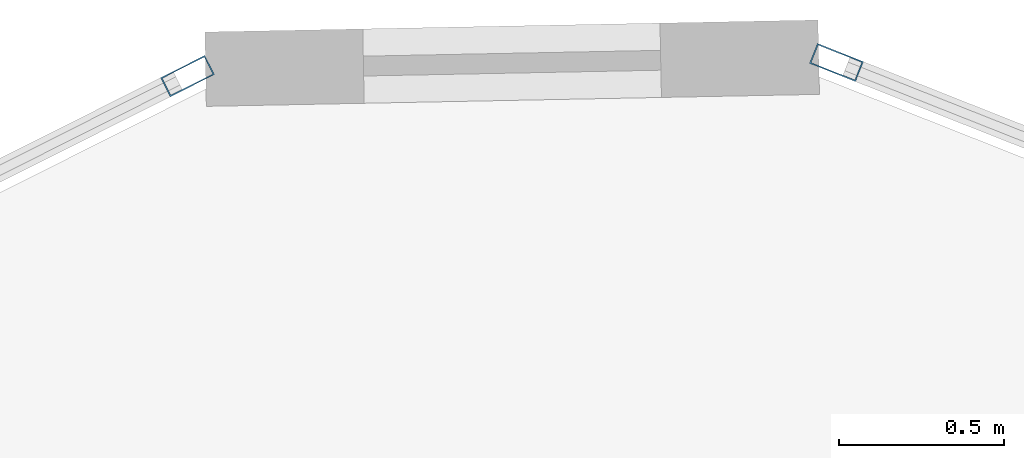
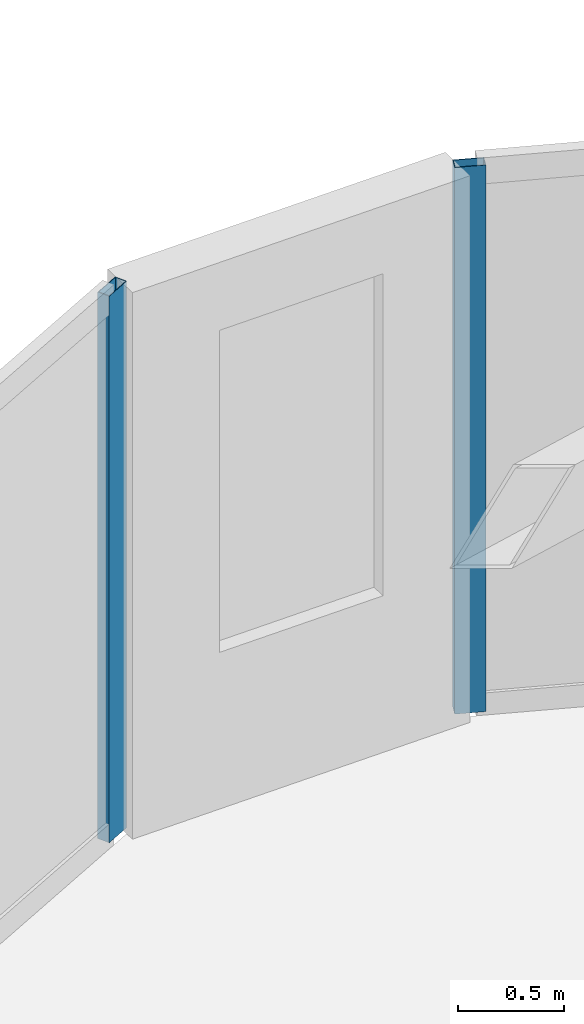
# One storey, part 15 of 21: 2 members, 2 elements without a shape of their own.
"""IFC4 building model written with IfcOpenShell, lengths in metres."""

from ifc_helpers import new_model, si_unit, direction, frame, origin, origin_2d, place, context, subcontext, project, spatial, hollow_rectangle, extrude, source, transform, mapped, material, layer, layer_set, material_profile, profile_set, type_object, type_shapes, element, aggregate, save


model = new_model("IFC4")

# Units and contexts
model_context = context("Model", 3, precision=1e-05, world=origin(), true_north=direction((0.0, 1.0)))
body_context = subcontext(model_context, "Body", "Model", "MODEL_VIEW")
ifc_project = project(units=[si_unit("LENGTHUNIT", "METRE"), si_unit("AREAUNIT", "SQUARE_METRE"), si_unit("VOLUMEUNIT", "CUBIC_METRE"), si_unit("PLANEANGLEUNIT", "RADIAN"), si_unit("MASSUNIT", "GRAM", prefix="KILO")], contexts=[model_context])

# Site, building, storey
site_placement = place(None, origin())
site = spatial("IfcSite", under=ifc_project, at=site_placement, CompositionType="ELEMENT")
building_placement = place(site_placement, origin())
building = spatial("IfcBuilding", under=site, at=building_placement, Name="Talar Marvaseh", CompositionType="ELEMENT")
storey_placement = place(building_placement, frame((0.0, 0.0, 264.60009765625)))
storey = spatial("IfcBuildingStorey", under=building, at=storey_placement, Name="L70", CompositionType="ELEMENT", Elevation=264.60009765625)

# Curtain wall, member
ifc_material = material(Name="Architectural Aluminium", Category="aluminium")
ifc_layer = layer(ifc_material, 0.179931640625)
ifc_layer_set = layer_set([ifc_layer], Name="Architectural Aluminium")
curtain_wall_type = type_object("IfcCurtainWallType", Name="Unitised High-Wind Sky Curtain Wall Z4", PredefinedType="NOTDEFINED", material=ifc_layer_set)
curtain_wall_1_placement = place(storey_placement, origin())
curtain_wall_1 = element("IfcCurtainWall", 1, at=curtain_wall_1_placement, inside=storey, type_object=curtain_wall_type, Name="L70 Unitised High-Wind Sky Curtain Wall Z4", PredefinedType="NOTDEFINED")
ifc_material_profile = material_profile(ifc_material, hollow_rectangle(XDim=0.06494140625, YDim=0.14990234375, WallThickness=0.00390625, at=origin_2d()), Name="RHS150x65x4")
ifc_profile_set = profile_set([ifc_material_profile], Name="Architectural Aluminium")
member_type = type_object("IfcMemberType", Name="Unitised Curtain Wall Slim Mullion RHS150x65x4", PredefinedType="MULLION", material=ifc_profile_set)
shared_shape = source(origin(), body_context, "Body", "SweptSolid", [
    extrude(hollow_rectangle(XDim=0.06494140625, YDim=0.14990234375, WallThickness=0.00390625, at=origin_2d()), origin(), (0.0, 0.0, 1.0), 3.139892578125),
])
type_shapes(member_type, [shared_shape])
member_1_placement = place(storey_placement, frame((26.80126953125, 43.016845703125, 0.0), z_axis=(0.0, 0.0, 1.0), x_axis=(-0.449034728226, 0.893514304781, 0.0)))
member_1 = element("IfcMember", 2, at=member_1_placement, type_object=member_type, Name="CW-Z4 mullion 4", PredefinedType="MULLION", context=body_context, shape_type="MappedRepresentation", body=[
    mapped(shared_shape, transform((0.0, 0.0, 0.0), x_axis=(1.0, 0.0, 0.0), y_axis=(0.0, 1.0, 0.0), z_axis=(0.0, 0.0, 1.0), scale=1.0)),
])
aggregate(curtain_wall_1, [member_1])

curtain_wall_2_placement = place(storey_placement, origin())
curtain_wall_2 = element("IfcCurtainWall", 3, at=curtain_wall_2_placement, inside=storey, type_object=curtain_wall_type, Name="L70 Unitised High-Wind Sky Curtain Wall Z4", PredefinedType="NOTDEFINED")
member_2_placement = place(storey_placement, frame((28.765625, 43.05810546875, 0.0), z_axis=(0.0, 0.0, 1.0), x_axis=(0.368060075635, 0.929802011572, 0.0)))
member_2 = element("IfcMember", 4, at=member_2_placement, type_object=member_type, Name="CW-Z4 mullion 1", PredefinedType="MULLION", context=body_context, shape_type="MappedRepresentation", body=[
    mapped(shared_shape, transform((0.0, 0.0, 0.0), x_axis=(1.0, 0.0, 0.0), y_axis=(0.0, 1.0, 0.0), z_axis=(0.0, 0.0, 1.0), scale=1.0)),
])
aggregate(curtain_wall_2, [member_2])

save(model, "model.ifc")
